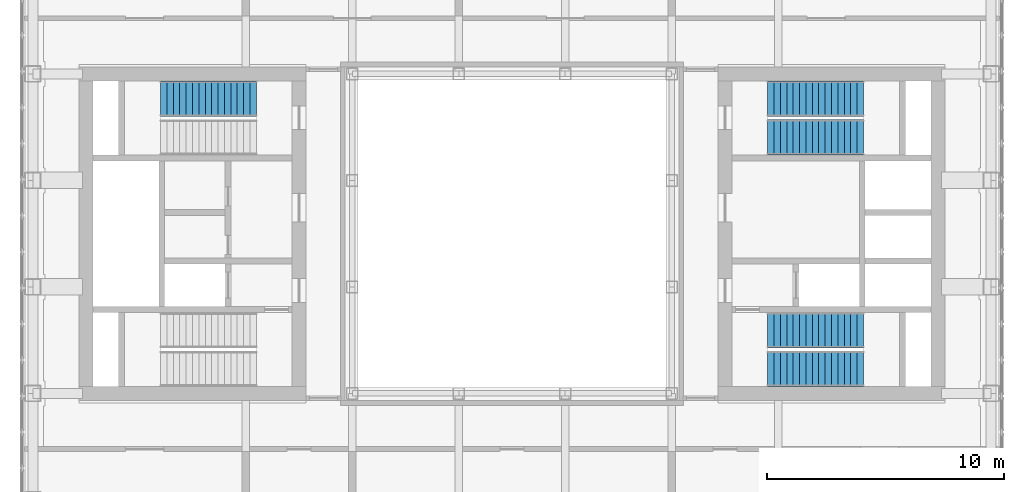
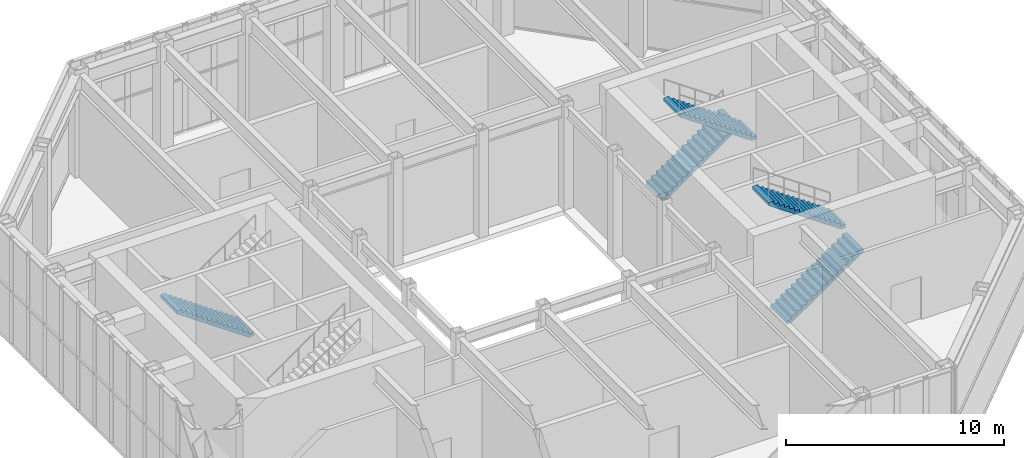
# One storey, part 11 of 12: 5 stair flights, 3 elements without a shape of their own.
"""IFC4 building model written with IfcOpenShell, lengths in metres."""

import ifcopenshell
import ifcopenshell.guid

model = None  # the IFC model being written
_history = None  # IfcOwnerHistory: only IFC2X3 demands one
_inside = {}  # id of a spatial element -> (the spatial element, [elements in it])
_under = {}  # id of a project, library or spatial element -> (it, [spatial elements below it])
_declared = {}  # id of a project -> (the project, [libraries it declares])
_typed = {}  # id of a type object -> (the type object, [elements of that type])
_made_of = {}  # id of a material, layer set ... -> (it, [elements and type objects made of it])


def new_model(schema):
    """Start an empty IFC model of exactly this schema.

    Asked for "IFC4X3", IfcOpenShell would pick the latest addendum, in which some entities
    have other attributes; the version numbers below select the first issue.
    IFC2X3 requires an IfcOwnerHistory on every rooted entity: one is made here for all.
    """
    global model, _history
    if schema == "IFC4X3":
        model = ifcopenshell.file(schema_version=(4, 3, 0, 0))
    else:
        model = ifcopenshell.file(schema=schema)
    _inside.clear()
    _under.clear()
    _declared.clear()
    _typed.clear()
    _made_of.clear()
    _history = None
    if model.schema == "IFC2X3":
        org = make("IfcOrganization", Name="unknown")
        user = make(
            "IfcPersonAndOrganization",
            ThePerson=make("IfcPerson", FamilyName="unknown"),
            TheOrganization=org,
        )
        app = make(
            "IfcApplication",
            ApplicationDeveloper=org,
            Version="unknown",
            ApplicationFullName="unknown",
            ApplicationIdentifier="unknown",
        )
        _history = make(
            "IfcOwnerHistory",
            OwningUser=user,
            OwningApplication=app,
            ChangeAction="ADDED",
            CreationDate=0,
        )
    return model


def make(cls, **values):
    """One entity of the class cls with the attributes given. An attribute that is None is left unset."""
    return model.create_entity(
        cls, **{name: value for name, value in values.items() if value is not None}
    )


def rooted(cls, **values):
    """An entity with a GlobalId (a new one), such as an element, a storey or a relation."""
    return make(cls, GlobalId=ifcopenshell.guid.new(), OwnerHistory=_history, **values)


def si_unit(unit_type, name, prefix=None):
    """IfcSIUnit, for example si_unit("LENGTHUNIT", "METRE", prefix="MILLI")."""
    return make("IfcSIUnit", UnitType=unit_type, Prefix=prefix, Name=name)


def assignment(units):
    """IfcUnitAssignment: the units of a project."""
    return None if units is None else make("IfcUnitAssignment", Units=units)


def point(xyz):
    """IfcCartesianPoint."""
    return None if xyz is None else make("IfcCartesianPoint", Coordinates=xyz)


def direction(xyz):
    """IfcDirection."""
    return None if xyz is None else make("IfcDirection", DirectionRatios=xyz)


def frame(location, z_axis=None, x_axis=None):
    """IfcAxis2Placement3D, a coordinate frame: its origin and axes. An axis left out is left unset."""
    return make(
        "IfcAxis2Placement3D",
        Location=point(location),
        Axis=direction(z_axis),
        RefDirection=direction(x_axis),
    )


def origin():
    """The frame at (0, 0, 0) with its axes left unset."""
    return frame((0.0, 0.0, 0.0))


def place(relative_to, where):
    """IfcLocalPlacement: puts the frame where relative to a parent placement (None: the world)."""
    return make(
        "IfcLocalPlacement", PlacementRelTo=relative_to, RelativePlacement=where
    )


def context(
    kind, dimensions, precision=None, world=None, true_north=None, identifier=None
):
    """IfcGeometricRepresentationContext, for example the 3D "Model" context."""
    return make(
        "IfcGeometricRepresentationContext",
        ContextIdentifier=identifier,
        ContextType=kind,
        CoordinateSpaceDimension=dimensions,
        Precision=precision,
        WorldCoordinateSystem=world,
        TrueNorth=true_north,
    )


def subcontext(parent, identifier, kind, view, scale=None):
    """IfcGeometricRepresentationSubContext, for example "Body" below "Model"."""
    return make(
        "IfcGeometricRepresentationSubContext",
        ContextIdentifier=identifier,
        ContextType=kind,
        ParentContext=parent,
        TargetScale=scale,
        TargetView=view,
    )


def project(units=None, contexts=None):
    """IfcProject with its units and contexts."""
    return rooted(
        "IfcProject",
        Name="project",
        RepresentationContexts=contexts,
        UnitsInContext=assignment(units),
    )


def spatial(cls, under=None, at=None, **own):
    """A site, building, storey or space (cls), placed at a placement, below another one or the project."""
    s = rooted(cls, ObjectPlacement=at, **own)
    if under is not None:
        _under.setdefault(under.id(), (under, []))[1].append(s)
    return s


def polyline(points):
    """IfcPolyline through the points."""
    return make("IfcPolyline", Points=[point(p) for p in points])


def outline(outer, holes=None, kind="AREA"):
    """IfcArbitraryClosedProfileDef: a profile drawn as a closed curve; with holes, ...WithVoids."""
    if holes is None:
        return make("IfcArbitraryClosedProfileDef", ProfileType=kind, OuterCurve=outer)
    return make(
        "IfcArbitraryProfileDefWithVoids",
        ProfileType=kind,
        OuterCurve=outer,
        InnerCurves=holes,
    )


def extrude(swept, where, along, depth):
    """IfcExtrudedAreaSolid: the profile swept, set in the frame where, extruded along a direction by depth."""
    return make(
        "IfcExtrudedAreaSolid",
        SweptArea=swept,
        Position=where,
        ExtrudedDirection=direction(along),
        Depth=depth,
    )


def shape(context_of_items, identifier, shape_type, items):
    """IfcShapeRepresentation: the items that make up one representation, for example the "Body"."""
    return make(
        "IfcShapeRepresentation",
        ContextOfItems=context_of_items,
        RepresentationIdentifier=identifier,
        RepresentationType=shape_type,
        Items=items,
    )


def material(Name=None, Category=None):
    """IfcMaterial."""
    return make("IfcMaterial", Name=Name, Category=Category)


def made_of(thing, what):
    """Note that an element or type object is made of a material, layer set ...; save() writes the relation."""
    if what is not None:
        _made_of.setdefault(what.id(), (what, []))[1].append(thing)
    return thing


def type_object(cls, material=None, **own):
    """A type object (cls), such as IfcWallType, which elements share."""
    return made_of(rooted(cls, **own), material)


def element(
    cls,
    number,
    at=None,
    inside=None,
    cuts=None,
    type_object=None,
    material=None,
    context=None,
    identifier="Body",
    shape_type=None,
    held_by="IfcProductDefinitionShape",
    body=None,
    shapes=None,
    **own,
):
    """One element of the class cls, such as IfcWall. Its Tag is "e" and its number.

    at: its placement. inside: the storey or other place that contains it. cuts: it is an
    opening in that element (IfcRelVoidsElement). A single representation is given by context,
    identifier, shape_type and body (its items); several are given by shapes. held_by: the class
    of the entity that holds the representations. save() writes the other relations.
    """
    e = rooted(cls, Tag="e%d" % number, ObjectPlacement=at, **own)
    if body is not None:
        shapes = [shape(context, identifier, shape_type, body)]
    if shapes is not None:
        e.Representation = make(held_by, Representations=shapes)
    if inside is not None:
        _inside.setdefault(inside.id(), (inside, []))[1].append(e)
    if cuts is not None:
        rooted(
            "IfcRelVoidsElement", RelatingBuildingElement=cuts, RelatedOpeningElement=e
        )
    if type_object is not None:
        _typed.setdefault(type_object.id(), (type_object, []))[1].append(e)
    return made_of(e, material)


def aggregate(whole, parts):
    """IfcRelAggregates: a whole, such as a stair, and the parts it consists of."""
    return rooted("IfcRelAggregates", RelatingObject=whole, RelatedObjects=parts)


def save(model, path):
    """Write the relations noted so far, then the file.

    IfcRelAggregates (storeys below a building ...), IfcRelContainedInSpatialStructure (elements
    in a storey), IfcRelDefinesByType, IfcRelAssociatesMaterial and IfcRelDeclares: one each for
    every whole, place, type object, material and project.
    """
    for whole, parts in _under.values():
        aggregate(whole, parts)
    for where, things in _inside.values():
        rooted(
            "IfcRelContainedInSpatialStructure",
            RelatedElements=things,
            RelatingStructure=where,
        )
    for kind, things in _typed.values():
        rooted("IfcRelDefinesByType", RelatedObjects=things, RelatingType=kind)
    for what, things in _made_of.values():
        rooted("IfcRelAssociatesMaterial", RelatedObjects=things, RelatingMaterial=what)
    for by, libraries in _declared.values():
        rooted("IfcRelDeclares", RelatingContext=by, RelatedDefinitions=libraries)
    model.write(path)


model = new_model("IFC4")

# Units and contexts
model_context = context("Model", 3, precision=1e-05, world=origin(), true_north=direction((0.0, 1.0)))
body_context = subcontext(model_context, "Body", "Model", "MODEL_VIEW")
ifc_project = project(units=[si_unit("LENGTHUNIT", "METRE"), si_unit("AREAUNIT", "SQUARE_METRE"), si_unit("VOLUMEUNIT", "CUBIC_METRE"), si_unit("PLANEANGLEUNIT", "RADIAN"), si_unit("MASSUNIT", "GRAM", prefix="KILO")], contexts=[model_context])

# Site, building, storey
site_placement = place(None, origin())
site = spatial("IfcSite", under=ifc_project, at=site_placement, CompositionType="ELEMENT")
building_placement = place(site_placement, origin())
building = spatial("IfcBuilding", under=site, at=building_placement, Name="Msasa Ring Tower", CompositionType="ELEMENT")
storey_placement = place(building_placement, frame((0.0, 0.0, 262.050048828125)))
storey = spatial("IfcBuildingStorey", under=building, at=storey_placement, Name="L68", CompositionType="ELEMENT", Elevation=262.050048828125)

# Stair, stair flights
ifc_material_1 = material(Name="Concrete C40/50", Category="concrete")
stair_type = type_object("IfcStairType", Name="STC CORE STAIR 32 RISERS 187.5", PredefinedType="HALF_TURN_STAIR", material=ifc_material_1)
stair_1_placement = place(storey_placement, origin())
stair_1 = element("IfcStair", 1, at=stair_1_placement, inside=storey, type_object=stair_type, Name="Core stair SEA L68", PredefinedType="HALF_TURN_STAIR")
ifc_material_2 = material(Name="Concrete C40/50", Category="concrete")
stair_flight_type = type_object("IfcStairFlightType", Name="ST17 CORE STAIR FLIGHT 1500 16 RISERS 187.5", PredefinedType="STRAIGHT", material=ifc_material_2)
stair_flight_1_placement = place(storey_placement, frame((10.800048828125, -5.699951171875, 0.0), z_axis=(0.0, 0.0, 1.0), x_axis=(1.0, 0.0, 0.0)))
stair_flight_1 = element("IfcStairFlight", 2, at=stair_flight_1_placement, type_object=stair_flight_type, Name="SEA flight 1", NumberOfRisers=16, NumberOfTreads=15, PredefinedType="STRAIGHT", RiserHeight=0.1875, TreadLength=0.27, context=body_context, shape_type="SweptSolid", body=[
    extrude(outline(polyline([(0.0, 0.0), (0.0, 0.1875), (0.27001953125, 0.1875), (0.27001953125, 0.375), (0.5400390625, 0.375), (0.5400390625, 0.5625), (0.81005859375, 0.5625), (0.81005859375, 0.75), (1.080078125, 0.75), (1.080078125, 0.9375), (1.35009765625, 0.9375), (1.35009765625, 1.125), (1.6201171875, 1.125), (1.6201171875, 1.3125), (1.889892578125, 1.3125), (1.889892578125, 1.5), (2.159912109375, 1.5), (2.159912109375, 1.6875), (2.429931640625, 1.6875), (2.429931640625, 1.875), (2.699951171875, 1.875), (2.699951171875, 2.0625), (2.969970703125, 2.0625), (2.969970703125, 2.25), (3.239990234375, 2.25), (3.239990234375, 2.4375), (3.510009765625, 2.4375), (3.510009765625, 2.625), (3.780029296875, 2.625), (3.780029296875, 2.8125), (4.050048828125, 2.8125), (4.050048828125, 3.0), (4.050048828125, 2.6298828125), (0.2626953125, 0.0), (0.0, 0.0)])), frame((0.0, 0.75, 0.0), z_axis=(0.0, -1.0, 0.0), x_axis=(1.0, 0.0, 0.0)), (0.0, 0.0, 1.0), 1.5),
])
stair_flight_2_placement = place(storey_placement, frame((14.85009765625, -4.074951171875, 3.0), z_axis=(0.0, 0.0, 1.0), x_axis=(-1.0, 0.0, 0.0)))
stair_flight_2 = element("IfcStairFlight", 3, at=stair_flight_2_placement, type_object=stair_flight_type, Name="SEA flight 2", NumberOfRisers=16, NumberOfTreads=15, PredefinedType="STRAIGHT", RiserHeight=0.1875, TreadLength=0.27, context=body_context, shape_type="SweptSolid", body=[
    extrude(outline(polyline([(0.0, 0.0), (0.0, 0.1875), (0.27001953125, 0.1875), (0.27001953125, 0.375), (0.5400390625, 0.375), (0.5400390625, 0.5625), (0.81005859375, 0.5625), (0.81005859375, 0.75), (1.080078125, 0.75), (1.080078125, 0.9375), (1.35009765625, 0.9375), (1.35009765625, 1.125), (1.6201171875, 1.125), (1.6201171875, 1.3125), (1.889892578125, 1.3125), (1.889892578125, 1.5), (2.159912109375, 1.5), (2.159912109375, 1.6875), (2.429931640625, 1.6875), (2.429931640625, 1.875), (2.699951171875, 1.875), (2.699951171875, 2.0625), (2.969970703125, 2.0625), (2.969970703125, 2.25), (3.239990234375, 2.25), (3.239990234375, 2.4375), (3.510009765625, 2.4375), (3.510009765625, 2.625), (3.780029296875, 2.625), (3.780029296875, 2.8125), (4.050048828125, 2.8125), (4.050048828125, 3.0), (4.050048828125, 2.6298828125), (0.2626953125, 0.0), (0.0, 0.0)])), frame((0.0, 0.75, 0.0), z_axis=(0.0, -1.0, 0.0), x_axis=(1.0, 0.0, 0.0)), (0.0, 0.0, 1.0), 1.5),
])
aggregate(stair_1, [stair_flight_1, stair_flight_2])

stair_2_placement = place(storey_placement, origin())
stair_2 = element("IfcStair", 4, at=stair_2_placement, inside=storey, type_object=stair_type, Name="Core stair SEB L68", PredefinedType="HALF_TURN_STAIR")
stair_flight_3_placement = place(storey_placement, frame((10.800048828125, 5.699951171875, 0.0), z_axis=(0.0, 0.0, 1.0), x_axis=(1.0, 0.0, 0.0)))
stair_flight_3 = element("IfcStairFlight", 5, at=stair_flight_3_placement, type_object=stair_flight_type, Name="SEB flight 1", NumberOfRisers=16, NumberOfTreads=15, PredefinedType="STRAIGHT", RiserHeight=0.1875, TreadLength=0.27, context=body_context, shape_type="SweptSolid", body=[
    extrude(outline(polyline([(0.0, 0.0), (0.0, 0.1875), (0.27001953125, 0.1875), (0.27001953125, 0.375), (0.5400390625, 0.375), (0.5400390625, 0.5625), (0.81005859375, 0.5625), (0.81005859375, 0.75), (1.080078125, 0.75), (1.080078125, 0.9375), (1.35009765625, 0.9375), (1.35009765625, 1.125), (1.6201171875, 1.125), (1.6201171875, 1.3125), (1.889892578125, 1.3125), (1.889892578125, 1.5), (2.159912109375, 1.5), (2.159912109375, 1.6875), (2.429931640625, 1.6875), (2.429931640625, 1.875), (2.699951171875, 1.875), (2.699951171875, 2.0625), (2.969970703125, 2.0625), (2.969970703125, 2.25), (3.239990234375, 2.25), (3.239990234375, 2.4375), (3.510009765625, 2.4375), (3.510009765625, 2.625), (3.780029296875, 2.625), (3.780029296875, 2.8125), (4.050048828125, 2.8125), (4.050048828125, 3.0), (4.050048828125, 2.6298828125), (0.2626953125, 0.0), (0.0, 0.0)])), frame((0.0, 0.75, 0.0), z_axis=(0.0, -1.0, 0.0), x_axis=(1.0, 0.0, 0.0)), (0.0, 0.0, 1.0), 1.5),
])
stair_flight_4_placement = place(storey_placement, frame((14.85009765625, 4.074951171875, 3.0), z_axis=(0.0, 0.0, 1.0), x_axis=(-1.0, 0.0, 0.0)))
stair_flight_4 = element("IfcStairFlight", 6, at=stair_flight_4_placement, type_object=stair_flight_type, Name="SEB flight 2", NumberOfRisers=16, NumberOfTreads=15, PredefinedType="STRAIGHT", RiserHeight=0.1875, TreadLength=0.27, context=body_context, shape_type="SweptSolid", body=[
    extrude(outline(polyline([(0.0, 0.0), (0.0, 0.1875), (0.27001953125, 0.1875), (0.27001953125, 0.375), (0.5400390625, 0.375), (0.5400390625, 0.5625), (0.81005859375, 0.5625), (0.81005859375, 0.75), (1.080078125, 0.75), (1.080078125, 0.9375), (1.35009765625, 0.9375), (1.35009765625, 1.125), (1.6201171875, 1.125), (1.6201171875, 1.3125), (1.889892578125, 1.3125), (1.889892578125, 1.5), (2.159912109375, 1.5), (2.159912109375, 1.6875), (2.429931640625, 1.6875), (2.429931640625, 1.875), (2.699951171875, 1.875), (2.699951171875, 2.0625), (2.969970703125, 2.0625), (2.969970703125, 2.25), (3.239990234375, 2.25), (3.239990234375, 2.4375), (3.510009765625, 2.4375), (3.510009765625, 2.625), (3.780029296875, 2.625), (3.780029296875, 2.8125), (4.050048828125, 2.8125), (4.050048828125, 3.0), (4.050048828125, 2.6298828125), (0.2626953125, 0.0), (0.0, 0.0)])), frame((0.0, 0.75, 0.0), z_axis=(0.0, -1.0, 0.0), x_axis=(1.0, 0.0, 0.0)), (0.0, 0.0, 1.0), 1.5),
])
aggregate(stair_2, [stair_flight_3, stair_flight_4])

# Stair, stair flight
stair_3_placement = place(storey_placement, origin())
stair_3 = element("IfcStair", 7, at=stair_3_placement, inside=storey, type_object=stair_type, Name="Core stair SWB L68", PredefinedType="HALF_TURN_STAIR")
stair_flight_5_placement = place(storey_placement, frame((-10.800048828125, 5.699951171875, 0.0), z_axis=(0.0, 0.0, 1.0), x_axis=(-1.0, 0.0, 0.0)))
stair_flight_5 = element("IfcStairFlight", 8, at=stair_flight_5_placement, type_object=stair_flight_type, Name="SWB flight 1", NumberOfRisers=16, NumberOfTreads=15, PredefinedType="STRAIGHT", RiserHeight=0.1875, TreadLength=0.27, context=body_context, shape_type="SweptSolid", body=[
    extrude(outline(polyline([(0.0, 0.0), (0.0, 0.1875), (0.27001953125, 0.1875), (0.27001953125, 0.375), (0.5400390625, 0.375), (0.5400390625, 0.5625), (0.81005859375, 0.5625), (0.81005859375, 0.75), (1.080078125, 0.75), (1.080078125, 0.9375), (1.35009765625, 0.9375), (1.35009765625, 1.125), (1.6201171875, 1.125), (1.6201171875, 1.3125), (1.889892578125, 1.3125), (1.889892578125, 1.5), (2.159912109375, 1.5), (2.159912109375, 1.6875), (2.429931640625, 1.6875), (2.429931640625, 1.875), (2.699951171875, 1.875), (2.699951171875, 2.0625), (2.969970703125, 2.0625), (2.969970703125, 2.25), (3.239990234375, 2.25), (3.239990234375, 2.4375), (3.510009765625, 2.4375), (3.510009765625, 2.625), (3.780029296875, 2.625), (3.780029296875, 2.8125), (4.050048828125, 2.8125), (4.050048828125, 3.0), (4.050048828125, 2.6298828125), (0.2626953125, 0.0), (0.0, 0.0)])), frame((0.0, 0.75, 0.0), z_axis=(0.0, -1.0, 0.0), x_axis=(1.0, 0.0, 0.0)), (0.0, 0.0, 1.0), 1.5),
])
aggregate(stair_3, [stair_flight_5])

save(model, "model.ifc")
